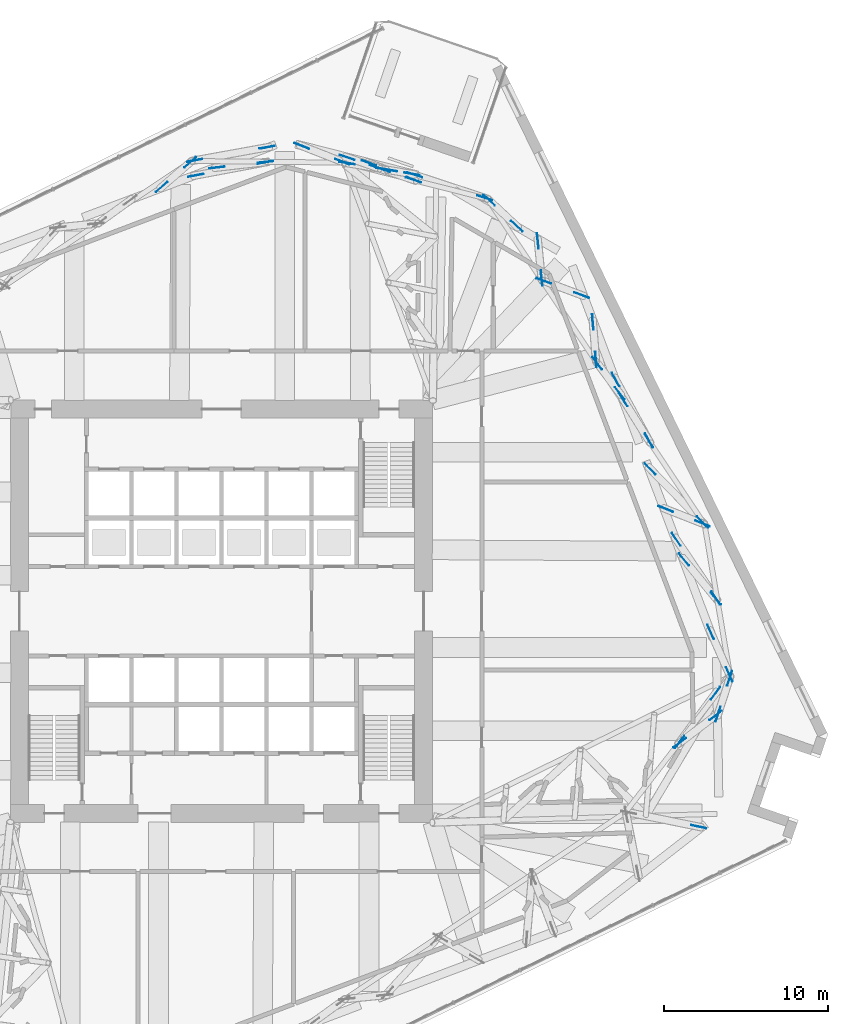
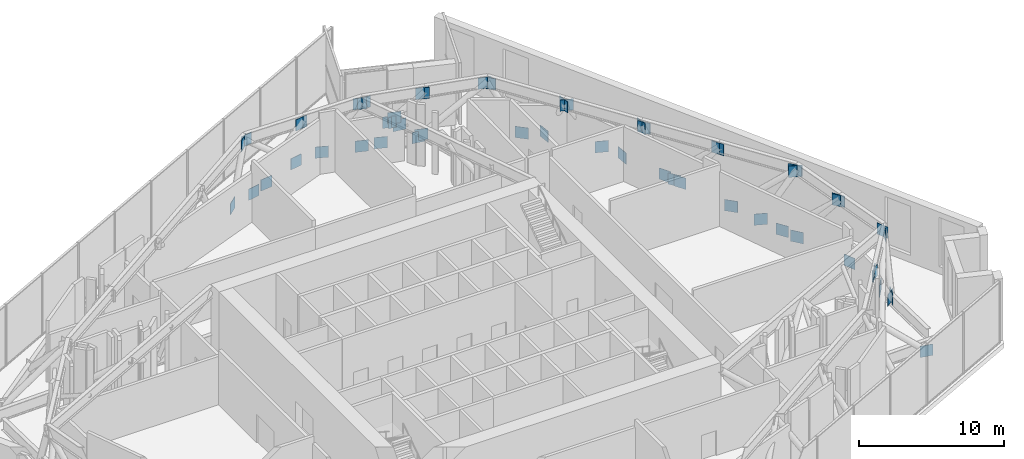
# One storey, part 18 of 21: 53 discrete accessories.
"""IFC4 building model written with IfcOpenShell, lengths in metres."""

import ifcopenshell
import ifcopenshell.guid

model = None  # the IFC model being written
_history = None  # IfcOwnerHistory: only IFC2X3 demands one
_inside = {}  # id of a spatial element -> (the spatial element, [elements in it])
_under = {}  # id of a project, library or spatial element -> (it, [spatial elements below it])
_declared = {}  # id of a project -> (the project, [libraries it declares])
_typed = {}  # id of a type object -> (the type object, [elements of that type])
_made_of = {}  # id of a material, layer set ... -> (it, [elements and type objects made of it])


def new_model(schema):
    """Start an empty IFC model of exactly this schema.

    Asked for "IFC4X3", IfcOpenShell would pick the latest addendum, in which some entities
    have other attributes; the version numbers below select the first issue.
    IFC2X3 requires an IfcOwnerHistory on every rooted entity: one is made here for all.
    """
    global model, _history
    if schema == "IFC4X3":
        model = ifcopenshell.file(schema_version=(4, 3, 0, 0))
    else:
        model = ifcopenshell.file(schema=schema)
    _inside.clear()
    _under.clear()
    _declared.clear()
    _typed.clear()
    _made_of.clear()
    _history = None
    if model.schema == "IFC2X3":
        org = make("IfcOrganization", Name="unknown")
        user = make(
            "IfcPersonAndOrganization",
            ThePerson=make("IfcPerson", FamilyName="unknown"),
            TheOrganization=org,
        )
        app = make(
            "IfcApplication",
            ApplicationDeveloper=org,
            Version="unknown",
            ApplicationFullName="unknown",
            ApplicationIdentifier="unknown",
        )
        _history = make(
            "IfcOwnerHistory",
            OwningUser=user,
            OwningApplication=app,
            ChangeAction="ADDED",
            CreationDate=0,
        )
    return model


def make(cls, **values):
    """One entity of the class cls with the attributes given. An attribute that is None is left unset."""
    return model.create_entity(
        cls, **{name: value for name, value in values.items() if value is not None}
    )


def rooted(cls, **values):
    """An entity with a GlobalId (a new one), such as an element, a storey or a relation."""
    return make(cls, GlobalId=ifcopenshell.guid.new(), OwnerHistory=_history, **values)


def si_unit(unit_type, name, prefix=None):
    """IfcSIUnit, for example si_unit("LENGTHUNIT", "METRE", prefix="MILLI")."""
    return make("IfcSIUnit", UnitType=unit_type, Prefix=prefix, Name=name)


def assignment(units):
    """IfcUnitAssignment: the units of a project."""
    return None if units is None else make("IfcUnitAssignment", Units=units)


def point(xyz):
    """IfcCartesianPoint."""
    return None if xyz is None else make("IfcCartesianPoint", Coordinates=xyz)


def direction(xyz):
    """IfcDirection."""
    return None if xyz is None else make("IfcDirection", DirectionRatios=xyz)


def frame(location, z_axis=None, x_axis=None):
    """IfcAxis2Placement3D, a coordinate frame: its origin and axes. An axis left out is left unset."""
    return make(
        "IfcAxis2Placement3D",
        Location=point(location),
        Axis=direction(z_axis),
        RefDirection=direction(x_axis),
    )


def frame_2d(location, x_axis=None):
    """IfcAxis2Placement2D, a coordinate frame in the plane: its origin and x axis."""
    return make(
        "IfcAxis2Placement2D", Location=point(location), RefDirection=direction(x_axis)
    )


def origin():
    """The frame at (0, 0, 0) with its axes left unset."""
    return frame((0.0, 0.0, 0.0))


def origin_2d():
    """The frame at (0, 0) in the plane with its x axis left unset."""
    return frame_2d((0.0, 0.0))


def place(relative_to, where):
    """IfcLocalPlacement: puts the frame where relative to a parent placement (None: the world)."""
    return make(
        "IfcLocalPlacement", PlacementRelTo=relative_to, RelativePlacement=where
    )


def context(
    kind, dimensions, precision=None, world=None, true_north=None, identifier=None
):
    """IfcGeometricRepresentationContext, for example the 3D "Model" context."""
    return make(
        "IfcGeometricRepresentationContext",
        ContextIdentifier=identifier,
        ContextType=kind,
        CoordinateSpaceDimension=dimensions,
        Precision=precision,
        WorldCoordinateSystem=world,
        TrueNorth=true_north,
    )


def subcontext(parent, identifier, kind, view, scale=None):
    """IfcGeometricRepresentationSubContext, for example "Body" below "Model"."""
    return make(
        "IfcGeometricRepresentationSubContext",
        ContextIdentifier=identifier,
        ContextType=kind,
        ParentContext=parent,
        TargetScale=scale,
        TargetView=view,
    )


def project(units=None, contexts=None):
    """IfcProject with its units and contexts."""
    return rooted(
        "IfcProject",
        Name="project",
        RepresentationContexts=contexts,
        UnitsInContext=assignment(units),
    )


def spatial(cls, under=None, at=None, **own):
    """A site, building, storey or space (cls), placed at a placement, below another one or the project."""
    s = rooted(cls, ObjectPlacement=at, **own)
    if under is not None:
        _under.setdefault(under.id(), (under, []))[1].append(s)
    return s


def profile(cls, at=None, kind="AREA", **sizes):
    """A parametric profile (cls). Its sizes go by their IFC names, for example OverallWidth=200.0."""
    return make(cls, ProfileType=kind, Position=at, **sizes)


def rectangle(**sizes):
    """IfcRectangleProfileDef."""
    return profile("IfcRectangleProfileDef", **sizes)


def extrude(swept, where, along, depth):
    """IfcExtrudedAreaSolid: the profile swept, set in the frame where, extruded along a direction by depth."""
    return make(
        "IfcExtrudedAreaSolid",
        SweptArea=swept,
        Position=where,
        ExtrudedDirection=direction(along),
        Depth=depth,
    )


def shape(context_of_items, identifier, shape_type, items):
    """IfcShapeRepresentation: the items that make up one representation, for example the "Body"."""
    return make(
        "IfcShapeRepresentation",
        ContextOfItems=context_of_items,
        RepresentationIdentifier=identifier,
        RepresentationType=shape_type,
        Items=items,
    )


def material(Name=None, Category=None):
    """IfcMaterial."""
    return make("IfcMaterial", Name=Name, Category=Category)


def layer(
    of_material, thickness, ventilated=None, Name=None, Category=None, Priority=None
):
    """IfcMaterialLayer: one layer of a wall or slab, of a material (None: an air gap)."""
    return make(
        "IfcMaterialLayer",
        Material=of_material,
        LayerThickness=thickness,
        IsVentilated=ventilated,
        Name=Name,
        Category=Category,
        Priority=Priority,
    )


def layer_set(layers, Name=None):
    """IfcMaterialLayerSet."""
    return make("IfcMaterialLayerSet", MaterialLayers=layers, LayerSetName=Name)


def made_of(thing, what):
    """Note that an element or type object is made of a material, layer set ...; save() writes the relation."""
    if what is not None:
        _made_of.setdefault(what.id(), (what, []))[1].append(thing)
    return thing


def type_object(cls, material=None, **own):
    """A type object (cls), such as IfcWallType, which elements share."""
    return made_of(rooted(cls, **own), material)


def element(
    cls,
    number,
    at=None,
    inside=None,
    cuts=None,
    type_object=None,
    material=None,
    context=None,
    identifier="Body",
    shape_type=None,
    held_by="IfcProductDefinitionShape",
    body=None,
    shapes=None,
    **own,
):
    """One element of the class cls, such as IfcWall. Its Tag is "e" and its number.

    at: its placement. inside: the storey or other place that contains it. cuts: it is an
    opening in that element (IfcRelVoidsElement). A single representation is given by context,
    identifier, shape_type and body (its items); several are given by shapes. held_by: the class
    of the entity that holds the representations. save() writes the other relations.
    """
    e = rooted(cls, Tag="e%d" % number, ObjectPlacement=at, **own)
    if body is not None:
        shapes = [shape(context, identifier, shape_type, body)]
    if shapes is not None:
        e.Representation = make(held_by, Representations=shapes)
    if inside is not None:
        _inside.setdefault(inside.id(), (inside, []))[1].append(e)
    if cuts is not None:
        rooted(
            "IfcRelVoidsElement", RelatingBuildingElement=cuts, RelatedOpeningElement=e
        )
    if type_object is not None:
        _typed.setdefault(type_object.id(), (type_object, []))[1].append(e)
    return made_of(e, material)


def aggregate(whole, parts):
    """IfcRelAggregates: a whole, such as a stair, and the parts it consists of."""
    return rooted("IfcRelAggregates", RelatingObject=whole, RelatedObjects=parts)


def save(model, path):
    """Write the relations noted so far, then the file.

    IfcRelAggregates (storeys below a building ...), IfcRelContainedInSpatialStructure (elements
    in a storey), IfcRelDefinesByType, IfcRelAssociatesMaterial and IfcRelDeclares: one each for
    every whole, place, type object, material and project.
    """
    for whole, parts in _under.values():
        aggregate(whole, parts)
    for where, things in _inside.values():
        rooted(
            "IfcRelContainedInSpatialStructure",
            RelatedElements=things,
            RelatingStructure=where,
        )
    for kind, things in _typed.values():
        rooted("IfcRelDefinesByType", RelatedObjects=things, RelatingType=kind)
    for what, things in _made_of.values():
        rooted("IfcRelAssociatesMaterial", RelatedObjects=things, RelatingMaterial=what)
    for by, libraries in _declared.values():
        rooted("IfcRelDeclares", RelatingContext=by, RelatedDefinitions=libraries)
    model.write(path)


model = new_model("IFC4")

# Units and contexts
model_context = context("Model", 3, precision=1e-05, world=origin(), true_north=direction((0.0, 1.0)))
body_context = subcontext(model_context, "Body", "Model", "MODEL_VIEW")
ifc_project = project(units=[si_unit("LENGTHUNIT", "METRE"), si_unit("AREAUNIT", "SQUARE_METRE"), si_unit("VOLUMEUNIT", "CUBIC_METRE"), si_unit("PLANEANGLEUNIT", "RADIAN"), si_unit("MASSUNIT", "GRAM", prefix="KILO")], contexts=[model_context])

# Site, building, storey
site_placement = place(None, origin())
site = spatial("IfcSite", under=ifc_project, at=site_placement, CompositionType="ELEMENT")
building_placement = place(site_placement, origin())
building = spatial("IfcBuilding", under=site, at=building_placement, Name="Dilmun Exchange Tower", CompositionType="ELEMENT")
storey_placement = place(building_placement, frame((0.0, 0.0, 130.10009765625)))
storey = spatial("IfcBuildingStorey", under=building, at=storey_placement, Name="L30", CompositionType="ELEMENT", Elevation=130.10009765625)

# Discrete accessories
ifc_material = material(Name="Steel S355J2", Category="steel")
ifc_layer = layer(ifc_material, 0.034912109375)
ifc_layer_set = layer_set([ifc_layer], Name="Steel S355J2")
discrete_accessory_type = type_object("IfcDiscreteAccessoryType", Name="Gusset plate 35 x 950 x 950", PredefinedType="BRACKET", material=ifc_layer_set)
for number, where, z_axis, x_axis, name in (
    (1, (7.37939453125, 27.459716796875, 4.0263671875), (0.0, 0.0, 1.0), (-0.931196486056, 0.364517632436, 0.0), "Gusset plate L30-DG01 end 1"),
    (2, (4.900390625, 28.429931640625, 0.2197265625), (0.0, 0.0, 1.0), (-0.931196486056, 0.364517632436, 0.0), "Gusset plate L30-DG01 end 2"),
    (3, (7.675048828125, 27.3818359375, 4.056640625), (0.0, 0.0, 1.0), (0.986387674373, -0.164436479665, 0.0), "Gusset plate L30-DG02 end 1"),
    (4, (9.910400390625, 27.00927734375, 1.87939453125), (0.0, 0.0, 1.0), (0.986387674373, -0.164436479665, 0.0), "Gusset plate L30-DG02 end 2"),
    (5, (10.248291015625, 26.952392578125, 1.55029296875), (0.0, 0.0, 1.0), (0.985943304859, -0.167080219068, 0.0), "Gusset plate L30-DG02B end 1"),
    (6, (11.64501953125, 26.7158203125, 0.189453125), (0.0, 0.0, 1.0), (0.985943304859, -0.167080219068, 0.0), "Gusset plate L30-DG02B end 2"),
    (7, (2.697998046875, 27.445068359375, 4.0341796875), (0.0, 0.0, 1.0), (-0.993760913399, -0.111531372266, 0.0), "Gusset plate L30-DG03 end 1"),
    (8, (-0.29150390625, 27.109619140625, 0.21142578125), (0.0, 0.0, 1.0), (-0.993760913399, -0.111531372266, 0.0), "Gusset plate L30-DG03 end 2"),
    (9, (2.67041015625, 27.428955078125, 4.06201171875), (0.0, 0.0, 1.0), (-0.982789603727, -0.184728435293, 0.0), "Gusset plate L30-DG04 end 1"),
    (10, (-1.573486328125, 26.631103515625, 0.18359375), (0.0, 0.0, 1.0), (-0.982789603727, -0.184728435293, 0.0), "Gusset plate L30-DG04 end 2"),
    (11, (-1.64111328125, 27.544921875, 4.06591796875), (0.0, 0.0, 1.0), (0.984022058046, 0.178046592999, 0.0), "Gusset plate L30-DG05 end 1"),
    (12, (2.787353515625, 28.34619140625, 0.18017578125), (0.0, 0.0, 1.0), (0.984022058046, 0.178046592999, 0.0), "Gusset plate L30-DG05 end 2"),
    (13, (-1.91162109375, 27.43212890625, 4.01806640625), (0.0, 0.0, 1.0), (-0.756527283899, -0.65396213095, 0.0), "Gusset plate L30-DG06 end 1"),
    (14, (-3.658447265625, 25.922119140625, 0.2275390625), (0.0, 0.0, 1.0), (-0.756527283899, -0.65396213095, 0.0), "Gusset plate L30-DG06 end 2"),
    (15, (29.154296875, -13.164306640625, 0.1826171875), (0.0, 0.0, 1.0), (0.979933750642, -0.199323466639, 0.0), "Gusset plate L30-DG45 end 2"),
    (16, (27.986572265625, -7.98779296875, 4.04931640625), (0.0, 0.0, 1.0), (0.592955202655, 0.805235448577, 0.0), "Gusset plate L30-DG47 end 1"),
    (17, (30.176513671875, -5.013671875, 0.1962890625), (0.0, 0.0, 1.0), (0.592955202655, 0.805235448577, 0.0), "Gusset plate L30-DG47 end 2"),
    (18, (27.99951171875, -8.03564453125, 4.0283203125), (0.0, 0.0, 1.0), (0.794688038258, 0.607018057268, 0.0), "Gusset plate L30-DG48 end 1"),
    (19, (30.185791015625, -6.365478515625, 0.21728515625), (0.0, 0.0, 1.0), (0.794688038258, 0.607018057268, 0.0), "Gusset plate L30-DG48 end 2"),
    (20, (31.02197265625, -3.8525390625, 4.0302734375), (0.0, 0.0, 1.0), (-0.403106100773, 0.915153250292, 0.0), "Gusset plate L30-DG49 end 1"),
    (21, (29.881591796875, -1.263671875, 0.2158203125), (0.0, 0.0, 1.0), (-0.403106100773, 0.915153250292, 0.0), "Gusset plate L30-DG49 end 2"),
    (22, (31.041259765625, -4.098876953125, 4.017578125), (0.0, 0.0, 1.0), (-0.307922911664, -0.95141130983, 0.0), "Gusset plate L30-DG50 end 1"),
    (23, (30.3359375, -6.27783203125, 0.22802734375), (0.0, 0.0, 1.0), (-0.307922911664, -0.95141130983, 0.0), "Gusset plate L30-DG50 end 2"),
    (24, (30.2001953125, 0.7802734375, 4.0361328125), (0.0, 0.0, 1.0), (-0.632918852584, 0.77421813854, 0.0), "Gusset plate L30-DG51 end 1"),
    (25, (28.252197265625, 3.163330078125, 0.2099609375), (0.0, 0.0, 1.0), (-0.632918852584, 0.77421813854, 0.0), "Gusset plate L30-DG51 end 2"),
    (26, (30.19580078125, 0.8115234375, 4.0625), (0.0, 0.0, 1.0), (-0.559040965011, 0.829140036085, 0.0), "Gusset plate L30-DG52 end 1"),
    (27, (27.779541015625, 4.39501953125, 0.18359375), (0.0, 0.0, 1.0), (-0.559040965011, 0.829140036085, 0.0), "Gusset plate L30-DG52 end 2"),
    (28, (29.38330078125, 5.441162109375, 4.06689453125), (0.0, 0.0, 1.0), (-0.700169442781, 0.713976716284, 0.0), "Gusset plate L30-DG53 end 1"),
    (29, (26.188232421875, 8.69921875, 0.1787109375), (0.0, 0.0, 1.0), (-0.700169442781, 0.713976716284, 0.0), "Gusset plate L30-DG53 end 2"),
    (30, (29.39111328125, 5.35888671875, 4.0205078125), (0.0, 0.0, 1.0), (-0.930204402304, 0.367041918498, 0.0), "Gusset plate L30-DG54 end 1"),
    (31, (27.137451171875, 6.248291015625, 0.22509765625), (0.0, 0.0, 1.0), (-0.930204402304, 0.367041918498, 0.0), "Gusset plate L30-DG54 end 2"),
    (32, (26.118408203125, 10.4072265625, 4.033203125), (0.0, 0.0, 1.0), (-0.529775684694, 0.848137797711, 0.0), "Gusset plate L30-DG55 end 1"),
    (33, (24.5439453125, 12.927490234375, 0.21240234375), (0.0, 0.0, 1.0), (-0.529775684694, 0.848137797711, 0.0), "Gusset plate L30-DG55 end 2"),
    (34, (26.111328125, 10.437255859375, 4.060546875), (0.0, 0.0, 1.0), (-0.480074992403, 0.877227451502, 0.0), "Gusset plate L30-DG56 end 1"),
    (35, (24.073974609375, 14.160400390625, 0.18505859375), (0.0, 0.0, 1.0), (-0.480074992403, 0.877227451502, 0.0), "Gusset plate L30-DG56 end 2"),
    (36, (22.87109375, 15.3779296875, 4.01806640625), (0.0, 0.0, 1.0), (-0.080922621378, 0.996720386743, 0.0), "Gusset plate L30-DG57 end 1"),
    (37, (22.684814453125, 17.673095703125, 0.22802734375), (0.0, 0.0, 1.0), (-0.080922621378, 0.996720386743, 0.0), "Gusset plate L30-DG57 end 2"),
    (38, (22.954833984375, 15.15625, 4.01806640625), (0.0, 0.0, 1.0), (0.598177753094, -0.801363447946, 0.0), "Gusset plate L30-DG58 end 1"),
    (39, (24.332275390625, 13.310791015625, 0.22802734375), (0.0, 0.0, 1.0), (0.598177753094, -0.801363447946, 0.0), "Gusset plate L30-DG58 end 2"),
    (40, (19.55419921875, 20.348876953125, 4.017578125), (0.0, 0.0, 1.0), (-0.099929312626, 0.994994538919, 0.0), "Gusset plate L30-DG59 end 1"),
    (41, (19.324951171875, 22.632080078125, 0.22802734375), (0.0, 0.0, 1.0), (-0.099929312626, 0.994994538919, 0.0), "Gusset plate L30-DG59 end 2"),
    (42, (19.6875, 20.180908203125, 4.02197265625), (0.0, 0.0, 1.0), (0.936003028356, -0.351991947221, 0.0), "Gusset plate L30-DG60 end 1"),
    (43, (21.998291015625, 19.31201171875, 0.22412109375), (0.0, 0.0, 1.0), (0.936003028356, -0.351991947221, 0.0), "Gusset plate L30-DG60 end 2"),
    (44, (16.077880859375, 25.255126953125, 4.06982421875), (0.0, 0.0, 1.0), (-0.949944246271, 0.312419475989, 0.0), "Gusset plate L30-DG61 end 1"),
    (45, (11.804931640625, 26.66064453125, 0.35400390625), (0.0, 0.0, 1.0), (-0.949944246271, 0.312419475989, 0.0), "Gusset plate L30-DG61 end 2"),
    (46, (16.34228515625, 25.11328125, 4.0185546875), (0.0, 0.0, 1.0), (0.730110995443, -0.68332856982, 0.0), "Gusset plate L30-DG62 end 1"),
    (47, (18.034423828125, 23.52978515625, 0.2275390625), (0.0, 0.0, 1.0), (0.730110995443, -0.68332856982, 0.0), "Gusset plate L30-DG62 end 2"),
    (48, (11.74365234375, 26.35498046875, 4.03271484375), (0.0, 0.0, 1.0), (-0.935953257314, 0.352124268013, 0.0), "Gusset plate L30-DG63 end 1"),
    (49, (9.0009765625, 27.38671875, 0.21337890625), (0.0, 0.0, 1.0), (-0.935953257314, 0.352124268013, 0.0), "Gusset plate L30-DG63 end 2"),
    (50, (11.71240234375, 26.360107421875, 4.06103515625), (0.0, 0.0, 1.0), (-0.947693230685, 0.319182613113, 0.0), "Gusset plate L30-DG64 end 1"),
    (51, (9.843017578125, 26.98974609375, 2.2666015625), (0.0, 0.0, 1.0), (-0.947693230685, 0.319182613113, 0.0), "Gusset plate L30-DG64 end 2"),
    (52, (9.510009765625, 27.102294921875, 1.94677734375), (0.0, 0.0, 1.0), (-0.946717296634, 0.322065770074, 0.0), "Gusset plate L30-DG64B end 1"),
    (53, (7.67529296875, 27.7265625, 0.1845703125), (0.0, 0.0, 1.0), (-0.946717296634, 0.322065770074, 0.0), "Gusset plate L30-DG64B end 2"),
):
    element("IfcDiscreteAccessory", number, at=place(storey_placement, frame(where, z_axis=z_axis, x_axis=x_axis)), inside=storey, type_object=discrete_accessory_type, Name=name, PredefinedType="BRACKET", context=body_context, shape_type="SweptSolid", body=[
        extrude(rectangle(XDim=0.949951171875, YDim=0.034912109375, at=origin_2d()), origin(), (0.0, 0.0, 1.0), 0.949951171875),
    ])

save(model, "model.ifc")
